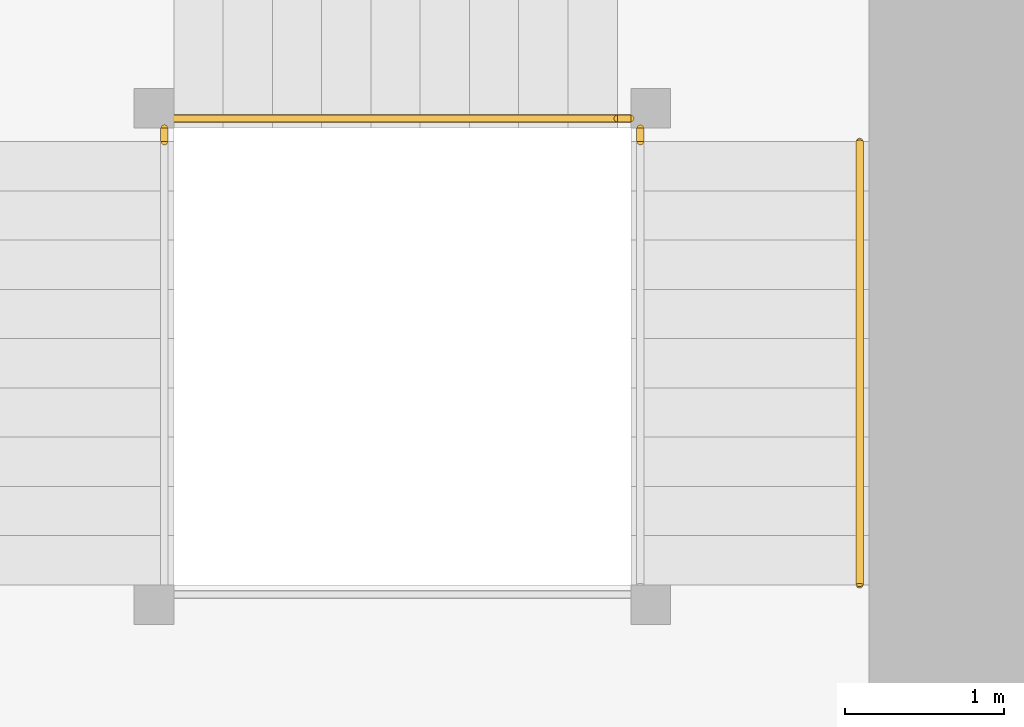
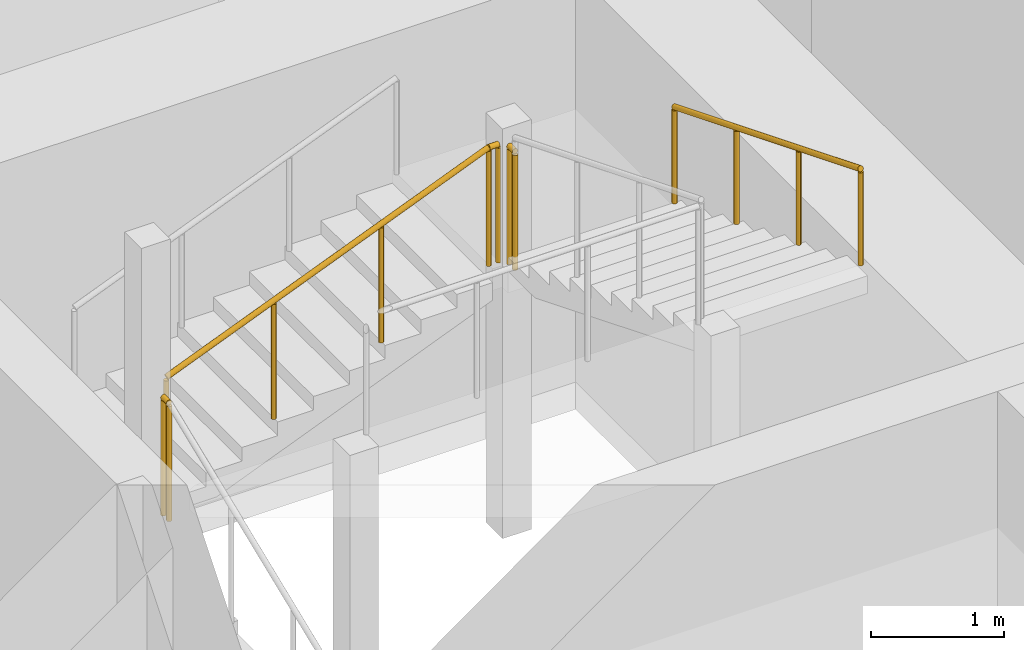
# One storey, part 37 of 38: 5 railings.
"""IFC4 building model written with IfcOpenShell, lengths in metres."""

from ifc_helpers import new_model, si_unit, direction, frame, origin, origin_2d, place, context, subcontext, project, spatial, circle, extrude, material, type_object, element, save


model = new_model("IFC4")

# Units and contexts
model_context = context("Model", 3, precision=1e-05, world=origin(), true_north=direction((0.0, 1.0)))
body_context = subcontext(model_context, "Body", "Model", "MODEL_VIEW")
ifc_project = project(units=[si_unit("LENGTHUNIT", "METRE"), si_unit("AREAUNIT", "SQUARE_METRE"), si_unit("VOLUMEUNIT", "CUBIC_METRE"), si_unit("PLANEANGLEUNIT", "RADIAN"), si_unit("MASSUNIT", "GRAM", prefix="KILO")], contexts=[model_context])

# Site, building, storey
site_placement = place(None, origin())
site = spatial("IfcSite", under=ifc_project, at=site_placement, CompositionType="ELEMENT")
building_placement = place(site_placement, origin())
building = spatial("IfcBuilding", under=site, at=building_placement, Name="Rekha Terrace Tower", CompositionType="ELEMENT")
storey_placement = place(building_placement, frame((0.0, 0.0, 159.050048828125)))
storey = spatial("IfcBuildingStorey", under=building, at=storey_placement, Name="L40", CompositionType="ELEMENT", Elevation=159.050048828125)

# Railings
ifc_material_1 = material(Name="Stainless steel balustrade", Category="steel")
railing_type_1 = type_object("IfcRailingType", Name="GR1 1100 stair guard", PredefinedType="GUARDRAIL", material=ifc_material_1)
railing_1_placement = place(storey_placement, frame((45.52490234375, 44.260009765625, 1.375)))
element("IfcRailing", 1, at=railing_1_placement, inside=storey, type_object=railing_type_1, Name="Guard ST2 L40 flight 2", PredefinedType="GUARDRAIL", context=body_context, shape_type="SweptSolid", body=[
    extrude(circle(Radius=0.02392578125, at=origin_2d()), frame((0.0, 0.0, 1.076171875), z_axis=(0.927443287984, 0.0, 0.373963831907), x_axis=(0.0, 1.0, 0.0)), (0.0, 0.0, 1.0), 3.00830078125),
    extrude(circle(Radius=0.02099609375, at=origin_2d()), origin(), (0.0, 0.0, 1.0), 1.052001953125),
    extrude(circle(Radius=0.02099609375, at=origin_2d()), frame((0.929931640625, 0.0, 0.375)), (0.0, 0.0, 1.0), 1.052001953125),
    extrude(circle(Radius=0.02099609375, at=origin_2d()), frame((1.860107421875, 0.0, 0.75)), (0.0, 0.0, 1.0), 1.052001953125),
    extrude(circle(Radius=0.02099609375, at=origin_2d()), frame((2.7900390625, 0.0, 1.125)), (0.0, 0.0, 1.0), 1.052001953125),
])
railing_2_placement = place(storey_placement, frame((45.465087890625, 44.114990234375, 1.25)))
element("IfcRailing", 2, at=railing_2_placement, inside=storey, type_object=railing_type_1, Name="Guard ST2 L40 landing 1", PredefinedType="GUARDRAIL", context=body_context, shape_type="SweptSolid", body=[
    extrude(circle(Radius=0.02392578125, at=origin_2d()), frame((0.0, 0.0, 1.076171875), z_axis=(0.0, 1.0, 0.0), x_axis=(-1.0, 0.0, 0.0)), (0.0, 0.0, 1.0), 0.0849609375),
    extrude(circle(Radius=0.02099609375, at=origin_2d()), origin(), (0.0, 0.0, 1.0), 1.052001953125),
    extrude(circle(Radius=0.02099609375, at=origin_2d()), frame((0.0, 0.0849609375, 0.0)), (0.0, 0.0, 1.0), 1.052001953125),
])
railing_3_placement = place(storey_placement, frame((48.31494140625, 44.260009765625, 2.5)))
element("IfcRailing", 3, at=railing_3_placement, inside=storey, type_object=railing_type_1, Name="Guard ST2 L40 landing 2", PredefinedType="GUARDRAIL", context=body_context, shape_type="SweptSolid", body=[
    extrude(circle(Radius=0.02392578125, at=origin_2d()), frame((0.0, 0.0, 1.076171875), z_axis=(1.0, 0.0, 0.0), x_axis=(0.0, 1.0, 0.0)), (0.0, 0.0, 1.0), 0.0849609375),
    extrude(circle(Radius=0.02099609375, at=origin_2d()), origin(), (0.0, 0.0, 1.0), 1.052001953125),
    extrude(circle(Radius=0.02099609375, at=origin_2d()), frame((0.0849609375, 0.0, 0.0)), (0.0, 0.0, 1.0), 1.052001953125),
])
railing_4_placement = place(storey_placement, frame((48.4599609375, 44.114990234375, 2.5)))
element("IfcRailing", 4, at=railing_4_placement, inside=storey, type_object=railing_type_1, Name="Guard ST2 L40 landing 3", PredefinedType="GUARDRAIL", context=body_context, shape_type="SweptSolid", body=[
    extrude(circle(Radius=0.02392578125, at=origin_2d()), frame((0.0, 0.0, 1.076171875), z_axis=(0.0, 1.0, 0.0), x_axis=(-1.0, 0.0, 0.0)), (0.0, 0.0, 1.0), 0.0849609375),
    extrude(circle(Radius=0.02099609375, at=origin_2d()), origin(), (0.0, 0.0, 1.0), 1.052001953125),
    extrude(circle(Radius=0.02099609375, at=origin_2d()), frame((0.0, 0.0849609375, 0.0)), (0.0, 0.0, 1.0), 1.052001953125),
])
ifc_material_2 = material(Name="Stainless steel tube", Category="steel")
railing_type_2 = type_object("IfcRailingType", Name="HR1 900 stair handrail", PredefinedType="HANDRAIL", material=ifc_material_2)
railing_5_placement = place(storey_placement, frame((49.840087890625, 44.114990234375, 2.625)))
element("IfcRailing", 5, at=railing_5_placement, inside=storey, type_object=railing_type_2, Name="Handrail ST2 L40 flight 3", PredefinedType="HANDRAIL", context=body_context, shape_type="SweptSolid", body=[
    extrude(circle(Radius=0.02392578125, at=origin_2d()), frame((0.0, 0.0, 0.8759765625), z_axis=(0.0, -0.927443287984, 0.373963831907), x_axis=(1.0, 0.0, 0.0)), (0.0, 0.0, 1.0), 3.00830078125),
    extrude(circle(Radius=0.02099609375, at=origin_2d()), origin(), (0.0, 0.0, 1.0), 0.851806640625),
    extrude(circle(Radius=0.02099609375, at=origin_2d()), frame((0.0, -0.929931640625, 0.375)), (0.0, 0.0, 1.0), 0.851806640625),
    extrude(circle(Radius=0.02099609375, at=origin_2d()), frame((0.0, -1.860107421875, 0.75)), (0.0, 0.0, 1.0), 0.851806640625),
    extrude(circle(Radius=0.02099609375, at=origin_2d()), frame((0.0, -2.7900390625, 1.125)), (0.0, 0.0, 1.0), 0.851806640625),
])

save(model, "model.ifc")
